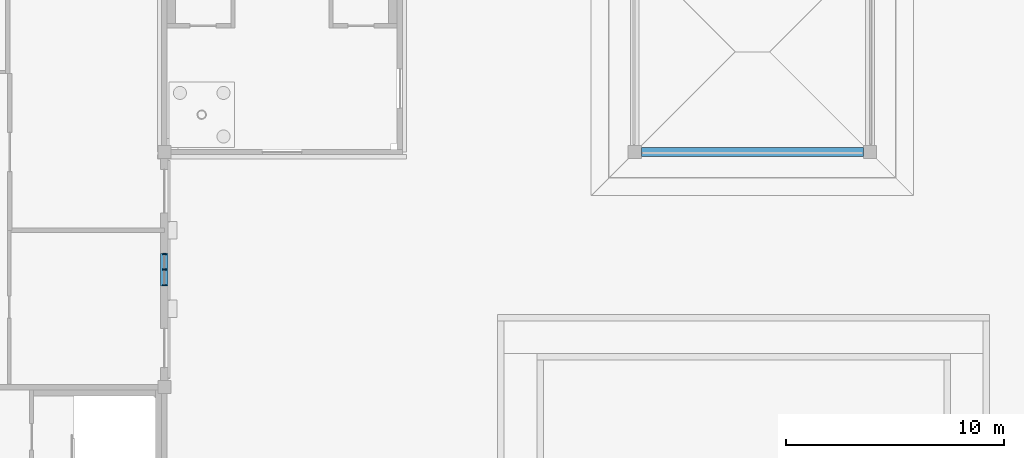
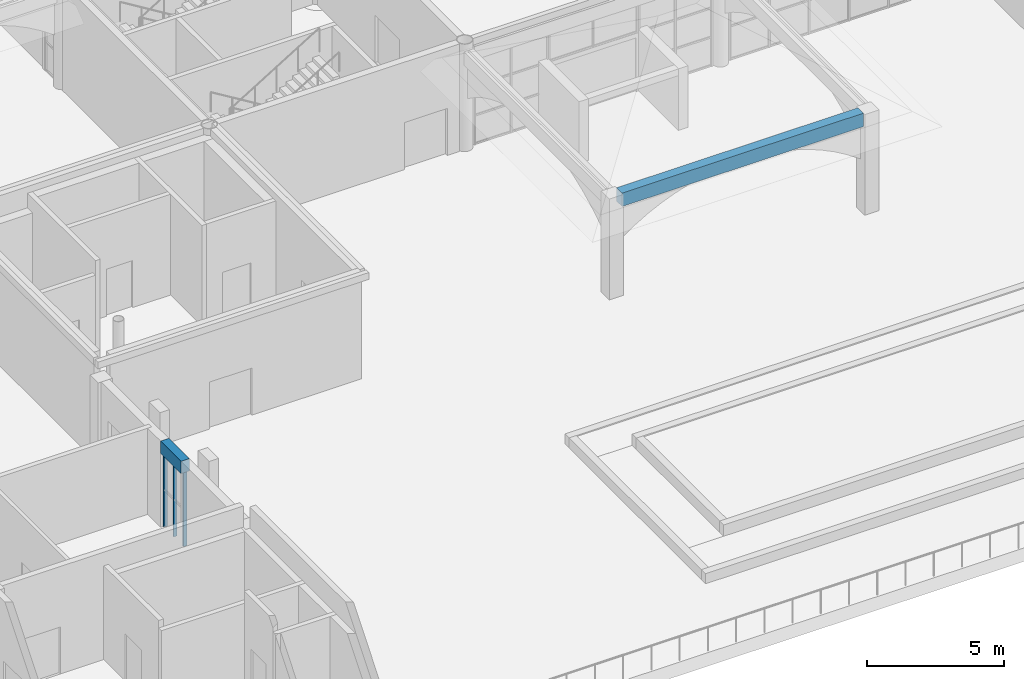
# One storey, part 13 of 91: 3 members, 2 beams, 1 element without a shape of its own.
"""IFC4 building model written with IfcOpenShell, lengths in metres."""

import ifcopenshell
import ifcopenshell.guid

model = None  # the IFC model being written
_history = None  # IfcOwnerHistory: only IFC2X3 demands one
_inside = {}  # id of a spatial element -> (the spatial element, [elements in it])
_under = {}  # id of a project, library or spatial element -> (it, [spatial elements below it])
_declared = {}  # id of a project -> (the project, [libraries it declares])
_typed = {}  # id of a type object -> (the type object, [elements of that type])
_made_of = {}  # id of a material, layer set ... -> (it, [elements and type objects made of it])


def new_model(schema):
    """Start an empty IFC model of exactly this schema.

    Asked for "IFC4X3", IfcOpenShell would pick the latest addendum, in which some entities
    have other attributes; the version numbers below select the first issue.
    IFC2X3 requires an IfcOwnerHistory on every rooted entity: one is made here for all.
    """
    global model, _history
    if schema == "IFC4X3":
        model = ifcopenshell.file(schema_version=(4, 3, 0, 0))
    else:
        model = ifcopenshell.file(schema=schema)
    _inside.clear()
    _under.clear()
    _declared.clear()
    _typed.clear()
    _made_of.clear()
    _history = None
    if model.schema == "IFC2X3":
        org = make("IfcOrganization", Name="unknown")
        user = make(
            "IfcPersonAndOrganization",
            ThePerson=make("IfcPerson", FamilyName="unknown"),
            TheOrganization=org,
        )
        app = make(
            "IfcApplication",
            ApplicationDeveloper=org,
            Version="unknown",
            ApplicationFullName="unknown",
            ApplicationIdentifier="unknown",
        )
        _history = make(
            "IfcOwnerHistory",
            OwningUser=user,
            OwningApplication=app,
            ChangeAction="ADDED",
            CreationDate=0,
        )
    return model


def make(cls, **values):
    """One entity of the class cls with the attributes given. An attribute that is None is left unset."""
    return model.create_entity(
        cls, **{name: value for name, value in values.items() if value is not None}
    )


def rooted(cls, **values):
    """An entity with a GlobalId (a new one), such as an element, a storey or a relation."""
    return make(cls, GlobalId=ifcopenshell.guid.new(), OwnerHistory=_history, **values)


def si_unit(unit_type, name, prefix=None):
    """IfcSIUnit, for example si_unit("LENGTHUNIT", "METRE", prefix="MILLI")."""
    return make("IfcSIUnit", UnitType=unit_type, Prefix=prefix, Name=name)


def assignment(units):
    """IfcUnitAssignment: the units of a project."""
    return None if units is None else make("IfcUnitAssignment", Units=units)


def point(xyz):
    """IfcCartesianPoint."""
    return None if xyz is None else make("IfcCartesianPoint", Coordinates=xyz)


def direction(xyz):
    """IfcDirection."""
    return None if xyz is None else make("IfcDirection", DirectionRatios=xyz)


def frame(location, z_axis=None, x_axis=None):
    """IfcAxis2Placement3D, a coordinate frame: its origin and axes. An axis left out is left unset."""
    return make(
        "IfcAxis2Placement3D",
        Location=point(location),
        Axis=direction(z_axis),
        RefDirection=direction(x_axis),
    )


def frame_2d(location, x_axis=None):
    """IfcAxis2Placement2D, a coordinate frame in the plane: its origin and x axis."""
    return make(
        "IfcAxis2Placement2D", Location=point(location), RefDirection=direction(x_axis)
    )


def origin():
    """The frame at (0, 0, 0) with its axes left unset."""
    return frame((0.0, 0.0, 0.0))


def origin_2d():
    """The frame at (0, 0) in the plane with its x axis left unset."""
    return frame_2d((0.0, 0.0))


def place(relative_to, where):
    """IfcLocalPlacement: puts the frame where relative to a parent placement (None: the world)."""
    return make(
        "IfcLocalPlacement", PlacementRelTo=relative_to, RelativePlacement=where
    )


def context(
    kind, dimensions, precision=None, world=None, true_north=None, identifier=None
):
    """IfcGeometricRepresentationContext, for example the 3D "Model" context."""
    return make(
        "IfcGeometricRepresentationContext",
        ContextIdentifier=identifier,
        ContextType=kind,
        CoordinateSpaceDimension=dimensions,
        Precision=precision,
        WorldCoordinateSystem=world,
        TrueNorth=true_north,
    )


def subcontext(parent, identifier, kind, view, scale=None):
    """IfcGeometricRepresentationSubContext, for example "Body" below "Model"."""
    return make(
        "IfcGeometricRepresentationSubContext",
        ContextIdentifier=identifier,
        ContextType=kind,
        ParentContext=parent,
        TargetScale=scale,
        TargetView=view,
    )


def project(units=None, contexts=None):
    """IfcProject with its units and contexts."""
    return rooted(
        "IfcProject",
        Name="project",
        RepresentationContexts=contexts,
        UnitsInContext=assignment(units),
    )


def spatial(cls, under=None, at=None, **own):
    """A site, building, storey or space (cls), placed at a placement, below another one or the project."""
    s = rooted(cls, ObjectPlacement=at, **own)
    if under is not None:
        _under.setdefault(under.id(), (under, []))[1].append(s)
    return s


def profile(cls, at=None, kind="AREA", **sizes):
    """A parametric profile (cls). Its sizes go by their IFC names, for example OverallWidth=200.0."""
    return make(cls, ProfileType=kind, Position=at, **sizes)


def rectangle(**sizes):
    """IfcRectangleProfileDef."""
    return profile("IfcRectangleProfileDef", **sizes)


def extrude(swept, where, along, depth):
    """IfcExtrudedAreaSolid: the profile swept, set in the frame where, extruded along a direction by depth."""
    return make(
        "IfcExtrudedAreaSolid",
        SweptArea=swept,
        Position=where,
        ExtrudedDirection=direction(along),
        Depth=depth,
    )


def shape(context_of_items, identifier, shape_type, items):
    """IfcShapeRepresentation: the items that make up one representation, for example the "Body"."""
    return make(
        "IfcShapeRepresentation",
        ContextOfItems=context_of_items,
        RepresentationIdentifier=identifier,
        RepresentationType=shape_type,
        Items=items,
    )


def material(Name=None, Category=None):
    """IfcMaterial."""
    return make("IfcMaterial", Name=Name, Category=Category)


def layer(
    of_material, thickness, ventilated=None, Name=None, Category=None, Priority=None
):
    """IfcMaterialLayer: one layer of a wall or slab, of a material (None: an air gap)."""
    return make(
        "IfcMaterialLayer",
        Material=of_material,
        LayerThickness=thickness,
        IsVentilated=ventilated,
        Name=Name,
        Category=Category,
        Priority=Priority,
    )


def layer_set(layers, Name=None):
    """IfcMaterialLayerSet."""
    return make("IfcMaterialLayerSet", MaterialLayers=layers, LayerSetName=Name)


def material_profile(
    of_material, cross_section, Name=None, Category=None, Priority=None
):
    """IfcMaterialProfile: a cross section and its material."""
    return make(
        "IfcMaterialProfile",
        Name=Name,
        Material=of_material,
        Profile=cross_section,
        Priority=Priority,
        Category=Category,
    )


def profile_set(profiles, Name=None, composite=None):
    """IfcMaterialProfileSet."""
    return make(
        "IfcMaterialProfileSet",
        Name=Name,
        MaterialProfiles=profiles,
        CompositeProfile=composite,
    )


def made_of(thing, what):
    """Note that an element or type object is made of a material, layer set ...; save() writes the relation."""
    if what is not None:
        _made_of.setdefault(what.id(), (what, []))[1].append(thing)
    return thing


def type_object(cls, material=None, **own):
    """A type object (cls), such as IfcWallType, which elements share."""
    return made_of(rooted(cls, **own), material)


def element(
    cls,
    number,
    at=None,
    inside=None,
    cuts=None,
    type_object=None,
    material=None,
    context=None,
    identifier="Body",
    shape_type=None,
    held_by="IfcProductDefinitionShape",
    body=None,
    shapes=None,
    **own,
):
    """One element of the class cls, such as IfcWall. Its Tag is "e" and its number.

    at: its placement. inside: the storey or other place that contains it. cuts: it is an
    opening in that element (IfcRelVoidsElement). A single representation is given by context,
    identifier, shape_type and body (its items); several are given by shapes. held_by: the class
    of the entity that holds the representations. save() writes the other relations.
    """
    e = rooted(cls, Tag="e%d" % number, ObjectPlacement=at, **own)
    if body is not None:
        shapes = [shape(context, identifier, shape_type, body)]
    if shapes is not None:
        e.Representation = make(held_by, Representations=shapes)
    if inside is not None:
        _inside.setdefault(inside.id(), (inside, []))[1].append(e)
    if cuts is not None:
        rooted(
            "IfcRelVoidsElement", RelatingBuildingElement=cuts, RelatedOpeningElement=e
        )
    if type_object is not None:
        _typed.setdefault(type_object.id(), (type_object, []))[1].append(e)
    return made_of(e, material)


def aggregate(whole, parts):
    """IfcRelAggregates: a whole, such as a stair, and the parts it consists of."""
    return rooted("IfcRelAggregates", RelatingObject=whole, RelatedObjects=parts)


def save(model, path):
    """Write the relations noted so far, then the file.

    IfcRelAggregates (storeys below a building ...), IfcRelContainedInSpatialStructure (elements
    in a storey), IfcRelDefinesByType, IfcRelAssociatesMaterial and IfcRelDeclares: one each for
    every whole, place, type object, material and project.
    """
    for whole, parts in _under.values():
        aggregate(whole, parts)
    for where, things in _inside.values():
        rooted(
            "IfcRelContainedInSpatialStructure",
            RelatedElements=things,
            RelatingStructure=where,
        )
    for kind, things in _typed.values():
        rooted("IfcRelDefinesByType", RelatedObjects=things, RelatingType=kind)
    for what, things in _made_of.values():
        rooted("IfcRelAssociatesMaterial", RelatedObjects=things, RelatingMaterial=what)
    for by, libraries in _declared.values():
        rooted("IfcRelDeclares", RelatingContext=by, RelatedDefinitions=libraries)
    model.write(path)


model = new_model("IFC4")

# Units and contexts
model_context = context("Model", 3, precision=1e-05, world=origin(), true_north=direction((0.0, 1.0)))
body_context = subcontext(model_context, "Body", "Model", "MODEL_VIEW")
ifc_project = project(units=[si_unit("LENGTHUNIT", "METRE"), si_unit("AREAUNIT", "SQUARE_METRE"), si_unit("VOLUMEUNIT", "CUBIC_METRE"), si_unit("PLANEANGLEUNIT", "RADIAN"), si_unit("MASSUNIT", "GRAM", prefix="KILO")], contexts=[model_context])

# Site, building, storey
site_placement = place(None, origin())
site = spatial("IfcSite", under=ifc_project, at=site_placement, CompositionType="ELEMENT")
building_placement = place(site_placement, origin())
building = spatial("IfcBuilding", under=site, at=building_placement, Name="Magnolia Steps Interchange", CompositionType="ELEMENT")
storey_placement = place(building_placement, origin())
storey = spatial("IfcBuildingStorey", under=building, at=storey_placement, Name="L00", CompositionType="ELEMENT", Elevation=0.0)

# Curtain wall, members
ifc_material_1 = material(Name="Timber-framed glazing", Category="wood")
ifc_layer = layer(ifc_material_1, 0.139892578125)
ifc_layer_set = layer_set([ifc_layer], Name="Cycle hub shopfront curtain wall")
curtain_wall_type = type_object("IfcCurtainWallType", Name="Cycle hub shopfront curtain wall", PredefinedType="NOTDEFINED", material=ifc_layer_set)
curtain_wall_placement = place(storey_placement, origin())
curtain_wall = element("IfcCurtainWall", 1, at=curtain_wall_placement, inside=storey, type_object=curtain_wall_type, Name="Cycle hub east wall L00 glazing 2", PredefinedType="NOTDEFINED")
ifc_material_2 = material(Name="White powder-coated aluminium", Category="aluminium")
ifc_material_profile_1 = material_profile(ifc_material_2, rectangle(XDim=0.06005859375, YDim=0.14990234375, at=origin_2d()), Name="Aluminium mullion 60 x 150")
ifc_profile_set_1 = profile_set([ifc_material_profile_1], Name="White powder-coated aluminium")
member_type = type_object("IfcMemberType", Name="Aluminium mullion 60 x 150", PredefinedType="MULLION", material=ifc_profile_set_1)
member_1_placement = place(storey_placement, frame((42.39990234375, 25.47998046875, 0.0), z_axis=(0.0, 0.0, 1.0), x_axis=(0.0, 1.0, 0.0)))
member_1 = element("IfcMember", 2, at=member_1_placement, type_object=member_type, Name="CW7 mullion 1", PredefinedType="MULLION", context=body_context, shape_type="SweptSolid", body=[
    extrude(rectangle(XDim=0.06005859375, YDim=0.14990234375, at=origin_2d()), origin(), (0.0, 0.0, 1.0), 3.300048828125),
])
member_2_placement = place(storey_placement, frame((42.39990234375, 26.199951171875, 0.0), z_axis=(0.0, 0.0, 1.0), x_axis=(0.0, 1.0, 0.0)))
member_2 = element("IfcMember", 3, at=member_2_placement, type_object=member_type, Name="CW7 mullion 2", PredefinedType="MULLION", context=body_context, shape_type="SweptSolid", body=[
    extrude(rectangle(XDim=0.06005859375, YDim=0.14990234375, at=origin_2d()), origin(), (0.0, 0.0, 1.0), 3.300048828125),
])
member_3_placement = place(storey_placement, frame((42.39990234375, 26.919921875, 0.0), z_axis=(0.0, 0.0, 1.0), x_axis=(0.0, 1.0, 0.0)))
member_3 = element("IfcMember", 4, at=member_3_placement, type_object=member_type, Name="CW7 mullion 3", PredefinedType="MULLION", context=body_context, shape_type="SweptSolid", body=[
    extrude(rectangle(XDim=0.06005859375, YDim=0.14990234375, at=origin_2d()), origin(), (0.0, 0.0, 1.0), 3.300048828125),
])
aggregate(curtain_wall, [member_1, member_2, member_3])

# Beams
ifc_material_3 = material(Name="Concrete C40", Category="concrete")
ifc_material_profile_2 = material_profile(ifc_material_3, rectangle(XDim=0.35009765625, YDim=0.550048828125, at=origin_2d()), Name="RC350x550")
ifc_profile_set_2 = profile_set([ifc_material_profile_2], Name="Concrete C40")
beam_type_1 = type_object("IfcBeamType", Name="Lime render lintel 350x550", PredefinedType="LINTEL", material=ifc_profile_set_2)
beam_1_placement = place(storey_placement, frame((42.39990234375, 25.449951171875, 3.574951171875), z_axis=(0.0, 1.0, 0.0), x_axis=(-1.0, 0.0, 0.0)))
element("IfcBeam", 5, at=beam_1_placement, inside=storey, type_object=beam_type_1, Name="Cycle hub east wall L00 lintel 2", PredefinedType="LINTEL", context=body_context, shape_type="SweptSolid", body=[
    extrude(rectangle(XDim=0.35009765625, YDim=0.550048828125, at=origin_2d()), origin(), (0.0, 0.0, 1.0), 1.5),
])
ifc_material_4 = material(Name="Concrete C40", Category="concrete")
ifc_material_profile_3 = material_profile(ifc_material_4, rectangle(XDim=0.39990234375, YDim=0.60009765625, at=origin_2d()), Name="RC400x600")
ifc_profile_set_3 = profile_set([ifc_material_profile_3], Name="Concrete C40")
beam_type_2 = type_object("IfcBeamType", Name="RC beam 400x600", PredefinedType="BEAM", material=ifc_profile_set_3)
beam_2_placement = place(storey_placement, frame((64.300048828125, 31.60009765625, 4.199951171875), z_axis=(1.0, 0.0, 0.0), x_axis=(0.0, 1.0, 0.0)))
element("IfcBeam", 6, at=beam_2_placement, inside=storey, type_object=beam_type_2, Name="Portico eave beam S2", PredefinedType="BEAM", context=body_context, shape_type="SweptSolid", body=[
    extrude(rectangle(XDim=0.39990234375, YDim=0.60009765625, at=origin_2d()), origin(), (0.0, 0.0, 1.0), 10.199951171875),
])

save(model, "model.ifc")
